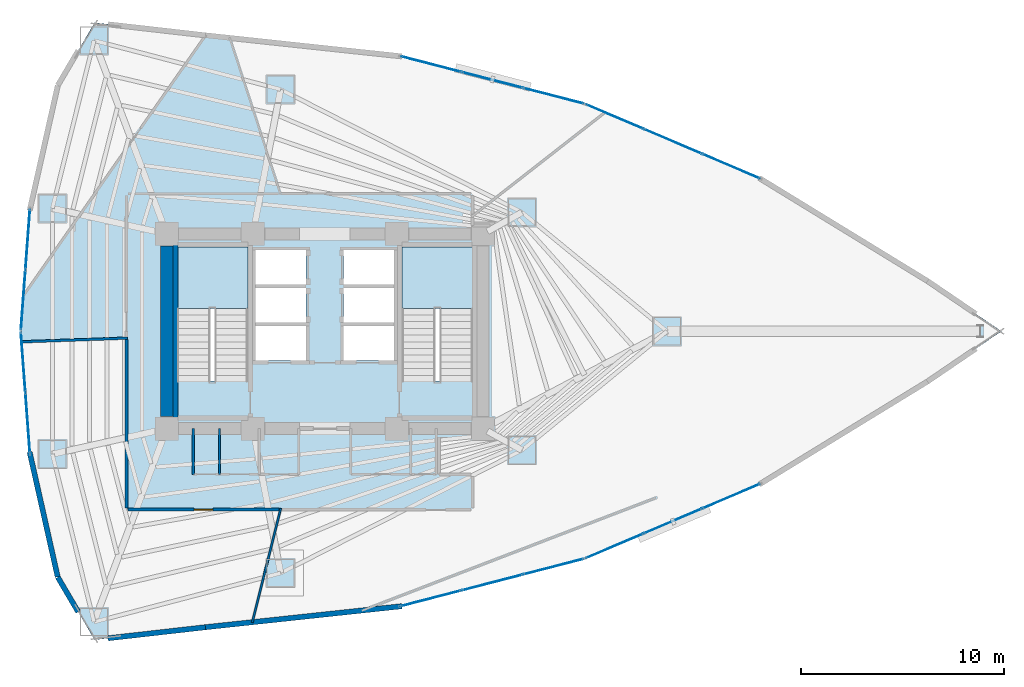
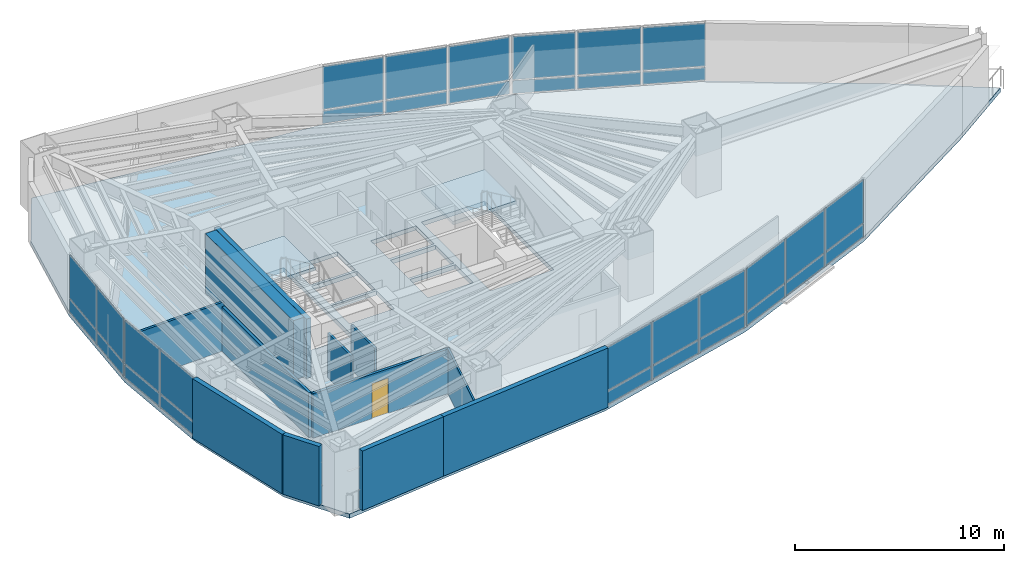
# One storey, part 14 of 20: 32 plates, 12 walls, 3 slabs, 1 door, 1 opening, 8 elements without a shape of their own.
"""IFC4 building model written with IfcOpenShell, lengths in metres."""

from ifc_helpers import new_model, si_unit, direction, frame, frame_2d, origin, origin_2d, place, context, subcontext, project, spatial, polyline, rectangle, outline, extrude, material, layer, layer_set, type_object, element, fill, aggregate, save


model = new_model("IFC4")

# Units and contexts
model_context = context("Model", 3, precision=1e-05, world=origin(), true_north=direction((0.0, 1.0)))
body_context = subcontext(model_context, "Body", "Model", "MODEL_VIEW")
ifc_project = project(units=[si_unit("LENGTHUNIT", "METRE"), si_unit("AREAUNIT", "SQUARE_METRE"), si_unit("VOLUMEUNIT", "CUBIC_METRE"), si_unit("PLANEANGLEUNIT", "RADIAN"), si_unit("MASSUNIT", "GRAM", prefix="KILO")], contexts=[model_context])

# Site, building, storey
site_placement = place(None, origin())
site = spatial("IfcSite", under=ifc_project, at=site_placement, CompositionType="ELEMENT")
building_placement = place(site_placement, origin())
building = spatial("IfcBuilding", under=site, at=building_placement, Name="Menara Vayukalpa", CompositionType="ELEMENT")
storey_placement = place(building_placement, frame((0.0, 0.0, 61.080078125)))
storey = spatial("IfcBuildingStorey", under=building, at=storey_placement, Name="L14", CompositionType="ELEMENT", Elevation=61.080078125)

# Curtain wall, plates
ifc_material_1 = material(Name="Anodised Terracotta Aluminium Alloy 6063-T6", Category="masonry")
ifc_layer_1 = layer(ifc_material_1, 0.179931640625)
ifc_layer_set_1 = layer_set([ifc_layer_1], Name="Anodised Terracotta Aluminium Alloy 6063-T6")
curtain_wall_type = type_object("IfcCurtainWallType", Name="CW-CW4", PredefinedType="USERDEFINED", material=ifc_layer_set_1)
curtain_wall_1_placement = place(storey_placement, origin())
curtain_wall_1 = element("IfcCurtainWall", 1, at=curtain_wall_1_placement, inside=storey, type_object=curtain_wall_type, Name="L14 Sky Bar Cantilever Glazed Curtain Wall CW4 04", ObjectType="UNITISED", PredefinedType="USERDEFINED")
ifc_material_2 = material(Name="Low-E Double Glazing", Category="glass")
ifc_layer_2 = layer(ifc_material_2, 0.0380859375)
ifc_layer_set_2 = layer_set([ifc_layer_2], Name="Low-E Double Glazing")
plate_type = type_object("IfcPlateType", Name="CWP-CW4", PredefinedType="CURTAIN_PANEL", material=ifc_layer_set_2)
plate_1_placement = place(storey_placement, frame((45.634033203125, 30.132080078125, 0.06982421875), z_axis=(0.0, 0.0, 1.0), x_axis=(-0.919961751315, 0.392008132718, 0.0)))
plate_1 = element("IfcPlate", 2, at=plate_1_placement, type_object=plate_type, Name="CW4 panel 1.1", PredefinedType="CURTAIN_PANEL", context=body_context, shape_type="SweptSolid", body=[
    extrude(rectangle(XDim=3.03173828125, YDim=0.0380859375, at=origin_2d()), origin(), (0.0, 0.0, 1.0), 0.7451171875),
])
plate_2_placement = place(storey_placement, frame((45.634033203125, 30.132080078125, 0.884765625), z_axis=(0.0, 0.0, 1.0), x_axis=(-0.919961751315, 0.392008132718, 0.0)))
plate_2 = element("IfcPlate", 3, at=plate_2_placement, type_object=plate_type, Name="CW4 panel 1.2", PredefinedType="CURTAIN_PANEL", context=body_context, shape_type="SweptSolid", body=[
    extrude(rectangle(XDim=3.03173828125, YDim=0.0380859375, at=origin_2d()), origin(), (0.0, 0.0, 1.0), 2.514892578125),
])
plate_3_placement = place(storey_placement, frame((42.7587890625, 31.357177734375, 0.06982421875), z_axis=(0.0, 0.0, 1.0), x_axis=(-0.919961751315, 0.392008132718, 0.0)))
plate_3 = element("IfcPlate", 4, at=plate_3_placement, type_object=plate_type, Name="CW4 panel 2.1", PredefinedType="CURTAIN_PANEL", context=body_context, shape_type="SweptSolid", body=[
    extrude(rectangle(XDim=3.069091796875, YDim=0.0380859375, at=origin_2d()), origin(), (0.0, 0.0, 1.0), 0.7451171875),
])
plate_4_placement = place(storey_placement, frame((42.7587890625, 31.357177734375, 0.884765625), z_axis=(0.0, 0.0, 1.0), x_axis=(-0.919961751315, 0.392008132718, 0.0)))
plate_4 = element("IfcPlate", 5, at=plate_4_placement, type_object=plate_type, Name="CW4 panel 2.2", PredefinedType="CURTAIN_PANEL", context=body_context, shape_type="SweptSolid", body=[
    extrude(rectangle(XDim=3.069091796875, YDim=0.0380859375, at=origin_2d()), origin(), (0.0, 0.0, 1.0), 2.514892578125),
])
plate_5_placement = place(storey_placement, frame((39.883544921875, 32.582275390625, 0.06982421875), z_axis=(0.0, 0.0, 1.0), x_axis=(-0.919961751315, 0.392008132718, 0.0)))
plate_5 = element("IfcPlate", 6, at=plate_5_placement, type_object=plate_type, Name="CW4 panel 3.1", PredefinedType="CURTAIN_PANEL", context=body_context, shape_type="SweptSolid", body=[
    extrude(rectangle(XDim=3.03173828125, YDim=0.0380859375, at=origin_2d()), origin(), (0.0, 0.0, 1.0), 0.7451171875),
])
plate_6_placement = place(storey_placement, frame((39.883544921875, 32.582275390625, 0.884765625), z_axis=(0.0, 0.0, 1.0), x_axis=(-0.919961751315, 0.392008132718, 0.0)))
plate_6 = element("IfcPlate", 7, at=plate_6_placement, type_object=plate_type, Name="CW4 panel 3.2", PredefinedType="CURTAIN_PANEL", context=body_context, shape_type="SweptSolid", body=[
    extrude(rectangle(XDim=3.03173828125, YDim=0.0380859375, at=origin_2d()), origin(), (0.0, 0.0, 1.0), 2.514892578125),
])
aggregate(curtain_wall_1, [plate_1, plate_2, plate_3, plate_4, plate_5, plate_6])

curtain_wall_2_placement = place(storey_placement, origin())
curtain_wall_2 = element("IfcCurtainWall", 8, at=curtain_wall_2_placement, inside=storey, type_object=curtain_wall_type, Name="L14 Sky Bar Cantilever Glazed Curtain Wall CW4 05", ObjectType="UNITISED", PredefinedType="USERDEFINED")
plate_7_placement = place(storey_placement, frame((36.8798828125, 33.604248046875, 0.06982421875), z_axis=(0.0, 0.0, 1.0), x_axis=(-0.968141727209, 0.25040286747, 0.0)))
plate_7 = element("IfcPlate", 9, at=plate_7_placement, type_object=plate_type, Name="CW4 panel 1.1", PredefinedType="CURTAIN_PANEL", context=body_context, shape_type="SweptSolid", body=[
    extrude(rectangle(XDim=3.03173828125, YDim=0.0380859375, at=origin_2d()), origin(), (0.0, 0.0, 1.0), 0.7451171875),
])
plate_8_placement = place(storey_placement, frame((36.8798828125, 33.604248046875, 0.884765625), z_axis=(0.0, 0.0, 1.0), x_axis=(-0.968141727209, 0.25040286747, 0.0)))
plate_8 = element("IfcPlate", 10, at=plate_8_placement, type_object=plate_type, Name="CW4 panel 1.2", PredefinedType="CURTAIN_PANEL", context=body_context, shape_type="SweptSolid", body=[
    extrude(rectangle(XDim=3.03173828125, YDim=0.0380859375, at=origin_2d()), origin(), (0.0, 0.0, 1.0), 2.514892578125),
])
plate_9_placement = place(storey_placement, frame((33.854248046875, 34.386962890625, 0.06982421875), z_axis=(0.0, 0.0, 1.0), x_axis=(-0.968141727209, 0.25040286747, 0.0)))
plate_9 = element("IfcPlate", 11, at=plate_9_placement, type_object=plate_type, Name="CW4 panel 2.1", PredefinedType="CURTAIN_PANEL", context=body_context, shape_type="SweptSolid", body=[
    extrude(rectangle(XDim=3.069091796875, YDim=0.0380859375, at=origin_2d()), origin(), (0.0, 0.0, 1.0), 0.7451171875),
])
plate_10_placement = place(storey_placement, frame((33.854248046875, 34.386962890625, 0.884765625), z_axis=(0.0, 0.0, 1.0), x_axis=(-0.968141727209, 0.25040286747, 0.0)))
plate_10 = element("IfcPlate", 12, at=plate_10_placement, type_object=plate_type, Name="CW4 panel 2.2", PredefinedType="CURTAIN_PANEL", context=body_context, shape_type="SweptSolid", body=[
    extrude(rectangle(XDim=3.069091796875, YDim=0.0380859375, at=origin_2d()), origin(), (0.0, 0.0, 1.0), 2.514892578125),
])
plate_11_placement = place(storey_placement, frame((30.828369140625, 35.16943359375, 0.06982421875), z_axis=(0.0, 0.0, 1.0), x_axis=(-0.968141727209, 0.25040286747, 0.0)))
plate_11 = element("IfcPlate", 13, at=plate_11_placement, type_object=plate_type, Name="CW4 panel 3.1", PredefinedType="CURTAIN_PANEL", context=body_context, shape_type="SweptSolid", body=[
    extrude(rectangle(XDim=3.03173828125, YDim=0.0380859375, at=origin_2d()), origin(), (0.0, 0.0, 1.0), 0.7451171875),
])
plate_12_placement = place(storey_placement, frame((30.828369140625, 35.16943359375, 0.884765625), z_axis=(0.0, 0.0, 1.0), x_axis=(-0.968141727209, 0.25040286747, 0.0)))
plate_12 = element("IfcPlate", 14, at=plate_12_placement, type_object=plate_type, Name="CW4 panel 3.2", PredefinedType="CURTAIN_PANEL", context=body_context, shape_type="SweptSolid", body=[
    extrude(rectangle(XDim=3.03173828125, YDim=0.0380859375, at=origin_2d()), origin(), (0.0, 0.0, 1.0), 2.514892578125),
])
aggregate(curtain_wall_2, [plate_7, plate_8, plate_9, plate_10, plate_11, plate_12])

curtain_wall_3_placement = place(storey_placement, origin())
curtain_wall_3 = element("IfcCurtainWall", 15, at=curtain_wall_3_placement, inside=storey, type_object=curtain_wall_type, Name="L14 Sky Bar Cantilever Glazed Curtain Wall CW4 10", ObjectType="UNITISED", PredefinedType="USERDEFINED")
plate_13_placement = place(storey_placement, frame((10.94921875, 26.526123046875, 0.06982421875), z_axis=(0.0, 0.0, 1.0), x_axis=(-0.074794857576, -0.997198941676, 0.0)))
plate_13 = element("IfcPlate", 16, at=plate_13_placement, type_object=plate_type, Name="CW4 panel 1.1", PredefinedType="CURTAIN_PANEL", context=body_context, shape_type="SweptSolid", body=[
    extrude(rectangle(XDim=2.92578125, YDim=0.0380859375, at=origin_2d()), origin(), (0.0, 0.0, 1.0), 0.7451171875),
])
plate_14_placement = place(storey_placement, frame((10.94921875, 26.526123046875, 0.884765625), z_axis=(0.0, 0.0, 1.0), x_axis=(-0.074794857576, -0.997198941676, 0.0)))
plate_14 = element("IfcPlate", 17, at=plate_14_placement, type_object=plate_type, Name="CW4 panel 1.2", PredefinedType="CURTAIN_PANEL", context=body_context, shape_type="SweptSolid", body=[
    extrude(rectangle(XDim=2.92578125, YDim=0.0380859375, at=origin_2d()), origin(), (0.0, 0.0, 1.0), 2.514892578125),
])
plate_15_placement = place(storey_placement, frame((10.724609375, 23.53369140625, 0.06982421875), z_axis=(0.0, 0.0, 1.0), x_axis=(-0.074794857576, -0.997198941676, 0.0)))
plate_15 = element("IfcPlate", 18, at=plate_15_placement, type_object=plate_type, Name="CW4 panel 2.1", PredefinedType="CURTAIN_PANEL", context=body_context, shape_type="SweptSolid", body=[
    extrude(rectangle(XDim=2.92578125, YDim=0.0380859375, at=origin_2d()), origin(), (0.0, 0.0, 1.0), 0.7451171875),
])
plate_16_placement = place(storey_placement, frame((10.724609375, 23.53369140625, 0.884765625), z_axis=(0.0, 0.0, 1.0), x_axis=(-0.074794857576, -0.997198941676, 0.0)))
plate_16 = element("IfcPlate", 19, at=plate_16_placement, type_object=plate_type, Name="CW4 panel 2.2", PredefinedType="CURTAIN_PANEL", context=body_context, shape_type="SweptSolid", body=[
    extrude(rectangle(XDim=2.92578125, YDim=0.0380859375, at=origin_2d()), origin(), (0.0, 0.0, 1.0), 2.514892578125),
])
aggregate(curtain_wall_3, [plate_13, plate_14, plate_15, plate_16])

curtain_wall_4_placement = place(storey_placement, origin())
curtain_wall_4 = element("IfcCurtainWall", 20, at=curtain_wall_4_placement, inside=storey, type_object=curtain_wall_type, Name="L14 Sky Bar Cantilever Glazed Curtain Wall CW4 11", ObjectType="UNITISED", PredefinedType="USERDEFINED")
plate_17_placement = place(storey_placement, frame((10.724609375, 20.46630859375, 0.06982421875), z_axis=(0.0, 0.0, 1.0), x_axis=(0.074794857576, -0.997198941676, 0.0)))
plate_17 = element("IfcPlate", 21, at=plate_17_placement, type_object=plate_type, Name="CW4 panel 1.1", PredefinedType="CURTAIN_PANEL", context=body_context, shape_type="SweptSolid", body=[
    extrude(rectangle(XDim=2.92578125, YDim=0.0380859375, at=origin_2d()), origin(), (0.0, 0.0, 1.0), 0.7451171875),
])
plate_18_placement = place(storey_placement, frame((10.724609375, 20.46630859375, 0.884765625), z_axis=(0.0, 0.0, 1.0), x_axis=(0.074794857576, -0.997198941676, 0.0)))
plate_18 = element("IfcPlate", 22, at=plate_18_placement, type_object=plate_type, Name="CW4 panel 1.2", PredefinedType="CURTAIN_PANEL", context=body_context, shape_type="SweptSolid", body=[
    extrude(rectangle(XDim=2.92578125, YDim=0.0380859375, at=origin_2d()), origin(), (0.0, 0.0, 1.0), 2.514892578125),
])
plate_19_placement = place(storey_placement, frame((10.94921875, 17.473876953125, 0.06982421875), z_axis=(0.0, 0.0, 1.0), x_axis=(0.074794857576, -0.997198941676, 0.0)))
plate_19 = element("IfcPlate", 23, at=plate_19_placement, type_object=plate_type, Name="CW4 panel 2.1", PredefinedType="CURTAIN_PANEL", context=body_context, shape_type="SweptSolid", body=[
    extrude(rectangle(XDim=2.92578125, YDim=0.0380859375, at=origin_2d()), origin(), (0.0, 0.0, 1.0), 0.7451171875),
])
plate_20_placement = place(storey_placement, frame((10.94921875, 17.473876953125, 0.884765625), z_axis=(0.0, 0.0, 1.0), x_axis=(0.074794857576, -0.997198941676, 0.0)))
plate_20 = element("IfcPlate", 24, at=plate_20_placement, type_object=plate_type, Name="CW4 panel 2.2", PredefinedType="CURTAIN_PANEL", context=body_context, shape_type="SweptSolid", body=[
    extrude(rectangle(XDim=2.92578125, YDim=0.0380859375, at=origin_2d()), origin(), (0.0, 0.0, 1.0), 2.514892578125),
])
aggregate(curtain_wall_4, [plate_17, plate_18, plate_19, plate_20])

curtain_wall_5_placement = place(storey_placement, origin())
curtain_wall_5 = element("IfcCurtainWall", 25, at=curtain_wall_5_placement, inside=storey, type_object=curtain_wall_type, Name="L14 Sky Bar Cantilever Glazed Curtain Wall CW4 16", ObjectType="UNITISED", PredefinedType="USERDEFINED")
plate_21_placement = place(storey_placement, frame((30.828369140625, 8.83056640625, 0.06982421875), z_axis=(0.0, 0.0, 1.0), x_axis=(0.968141727209, 0.25040286747, 0.0)))
plate_21 = element("IfcPlate", 26, at=plate_21_placement, type_object=plate_type, Name="CW4 panel 1.1", PredefinedType="CURTAIN_PANEL", context=body_context, shape_type="SweptSolid", body=[
    extrude(rectangle(XDim=3.03173828125, YDim=0.0380859375, at=origin_2d()), origin(), (0.0, 0.0, 1.0), 0.7451171875),
])
plate_22_placement = place(storey_placement, frame((30.828369140625, 8.83056640625, 0.884765625), z_axis=(0.0, 0.0, 1.0), x_axis=(0.968141727209, 0.25040286747, 0.0)))
plate_22 = element("IfcPlate", 27, at=plate_22_placement, type_object=plate_type, Name="CW4 panel 1.2", PredefinedType="CURTAIN_PANEL", context=body_context, shape_type="SweptSolid", body=[
    extrude(rectangle(XDim=3.03173828125, YDim=0.0380859375, at=origin_2d()), origin(), (0.0, 0.0, 1.0), 2.514892578125),
])
plate_23_placement = place(storey_placement, frame((33.854248046875, 9.613037109375, 0.06982421875), z_axis=(0.0, 0.0, 1.0), x_axis=(0.968141727209, 0.25040286747, 0.0)))
plate_23 = element("IfcPlate", 28, at=plate_23_placement, type_object=plate_type, Name="CW4 panel 2.1", PredefinedType="CURTAIN_PANEL", context=body_context, shape_type="SweptSolid", body=[
    extrude(rectangle(XDim=3.069091796875, YDim=0.0380859375, at=origin_2d()), origin(), (0.0, 0.0, 1.0), 0.7451171875),
])
plate_24_placement = place(storey_placement, frame((33.854248046875, 9.613037109375, 0.884765625), z_axis=(0.0, 0.0, 1.0), x_axis=(0.968141727209, 0.25040286747, 0.0)))
plate_24 = element("IfcPlate", 29, at=plate_24_placement, type_object=plate_type, Name="CW4 panel 2.2", PredefinedType="CURTAIN_PANEL", context=body_context, shape_type="SweptSolid", body=[
    extrude(rectangle(XDim=3.069091796875, YDim=0.0380859375, at=origin_2d()), origin(), (0.0, 0.0, 1.0), 2.514892578125),
])
plate_25_placement = place(storey_placement, frame((36.8798828125, 10.395751953125, 0.06982421875), z_axis=(0.0, 0.0, 1.0), x_axis=(0.968141727209, 0.25040286747, 0.0)))
plate_25 = element("IfcPlate", 30, at=plate_25_placement, type_object=plate_type, Name="CW4 panel 3.1", PredefinedType="CURTAIN_PANEL", context=body_context, shape_type="SweptSolid", body=[
    extrude(rectangle(XDim=3.03173828125, YDim=0.0380859375, at=origin_2d()), origin(), (0.0, 0.0, 1.0), 0.7451171875),
])
plate_26_placement = place(storey_placement, frame((36.8798828125, 10.395751953125, 0.884765625), z_axis=(0.0, 0.0, 1.0), x_axis=(0.968141727209, 0.25040286747, 0.0)))
plate_26 = element("IfcPlate", 31, at=plate_26_placement, type_object=plate_type, Name="CW4 panel 3.2", PredefinedType="CURTAIN_PANEL", context=body_context, shape_type="SweptSolid", body=[
    extrude(rectangle(XDim=3.03173828125, YDim=0.0380859375, at=origin_2d()), origin(), (0.0, 0.0, 1.0), 2.514892578125),
])
aggregate(curtain_wall_5, [plate_21, plate_22, plate_23, plate_24, plate_25, plate_26])

curtain_wall_6_placement = place(storey_placement, origin())
curtain_wall_6 = element("IfcCurtainWall", 32, at=curtain_wall_6_placement, inside=storey, type_object=curtain_wall_type, Name="L14 Sky Bar Cantilever Glazed Curtain Wall CW4 17", ObjectType="UNITISED", PredefinedType="USERDEFINED")
plate_27_placement = place(storey_placement, frame((39.883544921875, 11.417724609375, 0.06982421875), z_axis=(0.0, 0.0, 1.0), x_axis=(0.919961751315, 0.392008132718, 0.0)))
plate_27 = element("IfcPlate", 33, at=plate_27_placement, type_object=plate_type, Name="CW4 panel 1.1", PredefinedType="CURTAIN_PANEL", context=body_context, shape_type="SweptSolid", body=[
    extrude(rectangle(XDim=3.03173828125, YDim=0.0380859375, at=origin_2d()), origin(), (0.0, 0.0, 1.0), 0.7451171875),
])
plate_28_placement = place(storey_placement, frame((39.883544921875, 11.417724609375, 0.884765625), z_axis=(0.0, 0.0, 1.0), x_axis=(0.919961751315, 0.392008132718, 0.0)))
plate_28 = element("IfcPlate", 34, at=plate_28_placement, type_object=plate_type, Name="CW4 panel 1.2", PredefinedType="CURTAIN_PANEL", context=body_context, shape_type="SweptSolid", body=[
    extrude(rectangle(XDim=3.03173828125, YDim=0.0380859375, at=origin_2d()), origin(), (0.0, 0.0, 1.0), 2.514892578125),
])
plate_29_placement = place(storey_placement, frame((42.7587890625, 12.642822265625, 0.06982421875), z_axis=(0.0, 0.0, 1.0), x_axis=(0.919961751315, 0.392008132718, 0.0)))
plate_29 = element("IfcPlate", 35, at=plate_29_placement, type_object=plate_type, Name="CW4 panel 2.1", PredefinedType="CURTAIN_PANEL", context=body_context, shape_type="SweptSolid", body=[
    extrude(rectangle(XDim=3.069091796875, YDim=0.0380859375, at=origin_2d()), origin(), (0.0, 0.0, 1.0), 0.7451171875),
])
plate_30_placement = place(storey_placement, frame((42.7587890625, 12.642822265625, 0.884765625), z_axis=(0.0, 0.0, 1.0), x_axis=(0.919961751315, 0.392008132718, 0.0)))
plate_30 = element("IfcPlate", 36, at=plate_30_placement, type_object=plate_type, Name="CW4 panel 2.2", PredefinedType="CURTAIN_PANEL", context=body_context, shape_type="SweptSolid", body=[
    extrude(rectangle(XDim=3.069091796875, YDim=0.0380859375, at=origin_2d()), origin(), (0.0, 0.0, 1.0), 2.514892578125),
])
plate_31_placement = place(storey_placement, frame((45.634033203125, 13.867919921875, 0.06982421875), z_axis=(0.0, 0.0, 1.0), x_axis=(0.919961751315, 0.392008132718, 0.0)))
plate_31 = element("IfcPlate", 37, at=plate_31_placement, type_object=plate_type, Name="CW4 panel 3.1", PredefinedType="CURTAIN_PANEL", context=body_context, shape_type="SweptSolid", body=[
    extrude(rectangle(XDim=3.03173828125, YDim=0.0380859375, at=origin_2d()), origin(), (0.0, 0.0, 1.0), 0.7451171875),
])
plate_32_placement = place(storey_placement, frame((45.634033203125, 13.867919921875, 0.884765625), z_axis=(0.0, 0.0, 1.0), x_axis=(0.919961751315, 0.392008132718, 0.0)))
plate_32 = element("IfcPlate", 38, at=plate_32_placement, type_object=plate_type, Name="CW4 panel 3.2", PredefinedType="CURTAIN_PANEL", context=body_context, shape_type="SweptSolid", body=[
    extrude(rectangle(XDim=3.03173828125, YDim=0.0380859375, at=origin_2d()), origin(), (0.0, 0.0, 1.0), 2.514892578125),
])
aggregate(curtain_wall_6, [plate_27, plate_28, plate_29, plate_30, plate_31, plate_32])

# Slab
ifc_material_3 = material(Name="Concrete C40/50", Category="concrete")
ifc_layer_3 = layer(ifc_material_3, 0.25)
ifc_layer_set_3 = layer_set([ifc_layer_3], Name="Concrete C40/50")
slab_type_1 = type_object("IfcSlabType", Name="SLB-FL250", PredefinedType="FLOOR", material=ifc_layer_set_3)
slab_1_placement = place(storey_placement, frame((0.0, 0.0, -0.25)))
element("IfcSlab", 39, at=slab_1_placement, inside=storey, type_object=slab_type_1, Name="L14 Sky Bar Structural Floor Slab", PredefinedType="FLOOR", context=body_context, shape_type="SweptSolid", body=[
    extrude(outline(polyline([(55.320556640625, 19.52490234375), (58.957763671875, 22.0), (55.320556640625, 24.47509765625), (47.09765625, 29.50830078125), (38.420166015625, 33.2060546875), (29.2880859375, 35.56787109375), (19.701904296875, 36.59423828125), (14.24609375, 37.212890625), (12.427490234375, 34.119140625), (11.064208984375, 28.0595703125), (10.609619140625, 22.0), (11.064208984375, 15.9404296875), (12.427490234375, 9.880859375), (14.24609375, 6.787109375), (19.701904296875, 7.40576171875), (29.2880859375, 8.43212890625), (38.420166015625, 10.7939453125), (47.09765625, 14.49169921875), (55.320556640625, 19.52490234375)]), holes=[polyline([(21.800048828125, 19.550048828125), (21.800048828125, 26.14990234375), (18.300048828125, 26.14990234375), (18.300048828125, 19.550048828125), (21.800048828125, 19.550048828125)]), polyline([(32.89990234375, 19.550048828125), (32.89990234375, 26.14990234375), (29.39990234375, 26.14990234375), (29.39990234375, 19.550048828125), (32.89990234375, 19.550048828125)]), polyline([(22.179931640625, 20.550048828125), (24.679931640625, 20.550048828125), (24.679931640625, 22.27001953125), (22.179931640625, 22.27001953125), (22.179931640625, 20.550048828125)]), polyline([(26.52001953125, 20.550048828125), (29.02001953125, 20.550048828125), (29.02001953125, 22.27001953125), (26.52001953125, 22.27001953125), (26.52001953125, 20.550048828125)]), polyline([(22.179931640625, 22.419921875), (24.679931640625, 22.419921875), (24.679931640625, 24.139892578125), (22.179931640625, 24.139892578125), (22.179931640625, 22.419921875)]), polyline([(22.179931640625, 24.2900390625), (24.679931640625, 24.2900390625), (24.679931640625, 26.010009765625), (22.179931640625, 26.010009765625), (22.179931640625, 24.2900390625)]), polyline([(26.52001953125, 24.2900390625), (29.02001953125, 24.2900390625), (29.02001953125, 26.010009765625), (26.52001953125, 26.010009765625), (26.52001953125, 24.2900390625)]), polyline([(26.52001953125, 22.419921875), (29.02001953125, 22.419921875), (29.02001953125, 24.139892578125), (26.52001953125, 24.139892578125), (26.52001953125, 22.419921875)])]), origin(), (0.0, 0.0, 1.0), 0.25),
])

# Stair, slab
ifc_material_4 = material(Name="Precast Concrete C40/50", Category="concrete")
stair_type = type_object("IfcStairType", Name="STR-T04", PredefinedType="DOUBLE_RETURN_STAIR", material=ifc_material_4)
stair_1_placement = place(storey_placement, origin())
stair_1 = element("IfcStair", 40, at=stair_1_placement, inside=storey, type_object=stair_type, Name="L14 Core Exit Stair ST-1", PredefinedType="DOUBLE_RETURN_STAIR")
ifc_material_5 = material(Name="Precast Concrete C40/50", Category="concrete")
ifc_layer_4 = layer(ifc_material_5, 0.199951171875)
ifc_layer_set_4 = layer_set([ifc_layer_4], Name="Precast Concrete C40/50")
slab_type_2 = type_object("IfcSlabType", Name="SLB-LND200", PredefinedType="LANDING", material=ifc_layer_set_4)
slab_2_placement = place(storey_placement, frame((0.0, 0.0, 1.659912109375)))
slab_2 = element("IfcSlab", 41, at=slab_2_placement, type_object=slab_type_2, Name="ST-1 landing 1", PredefinedType="LANDING", context=body_context, shape_type="SweptSolid", body=[
    extrude(outline(polyline([(21.800048828125, 23.1298828125), (21.800048828125, 26.14990234375), (18.300048828125, 26.14990234375), (18.300048828125, 23.1298828125), (21.800048828125, 23.1298828125)])), origin(), (0.0, 0.0, 1.0), 0.199951171875),
])
aggregate(stair_1, [slab_2])

stair_2_placement = place(storey_placement, origin())
stair_2 = element("IfcStair", 42, at=stair_2_placement, inside=storey, type_object=stair_type, Name="L14 Core Exit Stair ST-2", PredefinedType="DOUBLE_RETURN_STAIR")
slab_3_placement = place(storey_placement, frame((0.0, 0.0, 1.659912109375)))
slab_3 = element("IfcSlab", 43, at=slab_3_placement, type_object=slab_type_2, Name="ST-2 landing 1", PredefinedType="LANDING", context=body_context, shape_type="SweptSolid", body=[
    extrude(outline(polyline([(32.89990234375, 23.1298828125), (32.89990234375, 26.14990234375), (29.39990234375, 26.14990234375), (29.39990234375, 23.1298828125), (32.89990234375, 23.1298828125)])), origin(), (0.0, 0.0, 1.0), 0.199951171875),
])
aggregate(stair_2, [slab_3])

# Walls
ifc_material_6 = material(Name="Concrete C70/85", Category="concrete")
ifc_layer_5 = layer(ifc_material_6, 0.60009765625)
ifc_layer_set_5 = layer_set([ifc_layer_5], Name="Concrete C70/85")
wall_type_1 = type_object("IfcWallType", Name="WAL-CW600", PredefinedType="SHEAR", material=ifc_layer_set_5)
wall_1_placement = place(storey_placement, frame((17.800048828125, 17.794921875, 0.0), z_axis=(0.0, 0.0, 1.0), x_axis=(0.0, 1.0, 0.0)))
element("IfcWall", 44, at=wall_1_placement, inside=storey, type_object=wall_type_1, Name="L14 Buttressed Core Shear Wall CWW1", PredefinedType="SHEAR", context=body_context, shape_type="SweptSolid", body=[
    extrude(rectangle(XDim=8.41015625, YDim=0.60009765625, at=frame_2d((4.205078125, 0.0))), origin(), (0.0, 0.0, 1.0), 3.469970703125),
])
ifc_material_7 = material(Name="Insulated Precast Concrete C40/50", Category="concrete")
ifc_layer_6 = layer(ifc_material_7, 0.260009765625)
ifc_layer_set_6 = layer_set([ifc_layer_6], Name="Insulated Precast Concrete C40/50")
wall_type_2 = type_object("IfcWallType", Name="WAL-EXT260", PredefinedType="PARTITIONING", material=ifc_layer_set_6)
wall_2_placement = place(storey_placement, frame((12.425537109375, 9.8896484375, 0.0), z_axis=(0.0, 0.0, 1.0), x_axis=(-0.219505752381, 0.975611205692, 0.0)))
element("IfcWall", 45, at=wall_2_placement, inside=storey, type_object=wall_type_2, Name="L14 Perimeter Terracotta Pier Wall 12", PredefinedType="PARTITIONING", context=body_context, shape_type="SweptSolid", body=[
    extrude(rectangle(XDim=6.31201171875, YDim=0.260009765625, at=frame_2d((3.156005859375, 0.0))), origin(), (0.0, 0.0, 1.0), 3.469970703125),
])
wall_3_placement = place(storey_placement, frame((13.4384765625, 8.1611328125, 0.0), z_axis=(0.0, 0.0, 1.0), x_axis=(-0.506772954594, 0.862079562739, 0.0)))
element("IfcWall", 46, at=wall_3_placement, inside=storey, type_object=wall_type_2, Name="L14 Perimeter Terracotta Pier Wall 13", PredefinedType="PARTITIONING", context=body_context, shape_type="SweptSolid", body=[
    extrude(rectangle(XDim=1.98583984375, YDim=0.260009765625, at=frame_2d((0.992919921875, 0.0))), origin(), (0.0, 0.0, 1.0), 3.469970703125),
])
wall_4_placement = place(storey_placement, frame((19.707763671875, 7.406494140625, 0.0), z_axis=(0.0, 0.0, 1.0), x_axis=(-0.993630237788, -0.112689620435, 0.0)))
element("IfcWall", 47, at=wall_4_placement, inside=storey, type_object=wall_type_2, Name="L14 Perimeter Terracotta Pier Wall 14", PredefinedType="PARTITIONING", context=body_context, shape_type="SweptSolid", body=[
    extrude(rectangle(XDim=4.8291015625, YDim=0.260009765625, at=frame_2d((2.41455078125, 0.0))), origin(), (0.0, 0.0, 1.0), 3.469970703125),
])
wall_5_placement = place(storey_placement, frame((29.397705078125, 8.44384765625, 0.0), z_axis=(0.0, 0.0, 1.0), x_axis=(-0.994319088673, -0.106440358419, 0.0)))
element("IfcWall", 48, at=wall_5_placement, inside=storey, type_object=wall_type_2, Name="L14 Perimeter Terracotta Pier Wall 15", PredefinedType="PARTITIONING", context=body_context, shape_type="SweptSolid", body=[
    extrude(rectangle(XDim=9.75732421875, YDim=0.260009765625, at=frame_2d((4.878662109375, 0.0))), origin(), (0.0, 0.0, 1.0), 3.469970703125),
])
ifc_material_8 = material(Name="Glazed Demountable Office Partition", Category="glass")
ifc_layer_7 = layer(ifc_material_8, 0.094970703125)
ifc_layer_set_7 = layer_set([ifc_layer_7], Name="Glazed Demountable Office Partition")
wall_type_3 = type_object("IfcWallType", Name="WAL-PT100", PredefinedType="PARTITIONING", material=ifc_layer_set_7)
wall_6_placement = place(storey_placement, frame((23.4208984375, 13.260009765625, 0.0), z_axis=(0.0, 0.0, 1.0), x_axis=(-0.241950009825, -0.97028871618, 0.0)))
element("IfcWall", 49, at=wall_6_placement, inside=storey, type_object=wall_type_3, Name="L14 Interior Partition IW-L14-RDIV04", PredefinedType="PARTITIONING", context=body_context, shape_type="SweptSolid", body=[
    extrude(rectangle(XDim=5.787841796875, YDim=0.094970703125, at=frame_2d((2.89404296875, 0.0))), origin(), (0.0, 0.0, 1.0), 2.599853515625),
])
ifc_material_9 = material(Name="Acoustic Mineral Stud Partition", Category="masonry")
ifc_layer_8 = layer(ifc_material_9, 0.110107421875)
ifc_layer_set_8 = layer_set([ifc_layer_8], Name="Acoustic Mineral Stud Partition")
wall_type_4 = type_object("IfcWallType", Name="WAL-PT110", PredefinedType="PARTITIONING", material=ifc_layer_set_8)
wall_7_placement = place(storey_placement, frame((20.39990234375, 14.949951171875, 0.0), z_axis=(0.0, 0.0, 1.0), x_axis=(0.0, 1.0, 0.0)))
element("IfcWall", 50, at=wall_7_placement, inside=storey, type_object=wall_type_4, Name="L14 Interior Partition IW-L14-SVCD-02", PredefinedType="PARTITIONING", context=body_context, shape_type="SweptSolid", body=[
    extrude(rectangle(XDim=2.25, YDim=0.110107421875, at=frame_2d((1.125, 0.0))), origin(), (0.0, 0.0, 1.0), 2.599853515625),
])
ifc_material_10 = material(Name="Gypsum Drywall Steel Stud Assembly", Category="steel")
ifc_layer_9 = layer(ifc_material_10, 0.125)
ifc_layer_set_9 = layer_set([ifc_layer_9], Name="Gypsum Drywall Steel Stud Assembly")
wall_type_5 = type_object("IfcWallType", Name="WAL-PT125", PredefinedType="PARTITIONING", material=ifc_layer_set_9)
wall_8_placement = place(storey_placement, frame((19.10009765625, 14.949951171875, 0.0), z_axis=(0.0, 0.0, 1.0), x_axis=(0.0, 1.0, 0.0)))
element("IfcWall", 51, at=wall_8_placement, inside=storey, type_object=wall_type_5, Name="L14 Interior Partition IW-L14-SVCD-01", PredefinedType="PARTITIONING", context=body_context, shape_type="SweptSolid", body=[
    extrude(rectangle(XDim=2.25, YDim=0.125, at=frame_2d((1.125, 0.0))), origin(), (0.0, 0.0, 1.0), 2.599853515625),
])
wall_9_placement = place(storey_placement, frame((15.8701171875, 21.66015625, 0.0), z_axis=(0.0, 0.0, 1.0), x_axis=(-0.999391229301, -0.034887974962, 0.0)))
element("IfcWall", 52, at=wall_9_placement, inside=storey, type_object=wall_type_5, Name="L14 Interior Partition IW-L14-RDIV03", PredefinedType="PARTITIONING", context=body_context, shape_type="SweptSolid", body=[
    extrude(rectangle(XDim=5.234375, YDim=0.125, at=frame_2d((2.6171875, 0.0))), origin(), (0.0, 0.0, 1.0), 2.849853515625),
])
ifc_material_11 = material(Name="Gypsum Drywall Acoustic Stud Assembly", Category="masonry")
ifc_layer_10 = layer(ifc_material_11, 0.14501953125)
ifc_layer_set_10 = layer_set([ifc_layer_10], Name="Gypsum Drywall Acoustic Stud Assembly")
wall_type_6 = type_object("IfcWallType", Name="WAL-PT150", PredefinedType="PARTITIONING", material=ifc_layer_set_10)
wall_10_placement = place(storey_placement, frame((15.820068359375, 21.58837890625, 0.0), z_axis=(0.0, 0.0, 1.0), x_axis=(0.0, -1.0, 0.0)))
element("IfcWall", 53, at=wall_10_placement, inside=storey, type_object=wall_type_6, Name="L14 Interior Partition IW-L14-CRM02-1", PredefinedType="PARTITIONING", context=body_context, shape_type="SweptSolid", body=[
    extrude(rectangle(XDim=8.29833984375, YDim=0.14501953125, at=frame_2d((4.149169921875, 0.0))), origin(), (0.0, 0.0, 1.0), 2.599853515625),
])

# Wall, opening, door
wall_11_placement = place(storey_placement, frame((15.89990234375, 13.2099609375, 0.0), z_axis=(0.0, 0.0, 1.0), x_axis=(1.0, 0.0, 0.0)))
wall_11 = element("IfcWall", 54, at=wall_11_placement, inside=storey, type_object=wall_type_6, Name="L14 Interior Partition IW-L14-CRM02-2", PredefinedType="PARTITIONING", context=body_context, shape_type="SweptSolid", body=[
    extrude(rectangle(XDim=7.436279296875, YDim=0.14501953125, at=frame_2d((3.71826171875, 0.0))), origin(), (0.0, 0.0, 1.0), 2.599853515625),
])
opening_placement = place(wall_11_placement, frame((3.25830078125, 0.0, 0.0)))
opening = element("IfcOpeningElement", 55, at=opening_placement, cuts=wall_11, Name="Opening ID6", PredefinedType="OPENING", context=body_context, shape_type="SweptSolid", body=[
    extrude(rectangle(XDim=0.919921875, YDim=2.050048828125, at=frame_2d((0.4599609375, 1.02490234375))), frame((0.0, 0.08251953125, 0.0), z_axis=(0.0, -1.0, 0.0), x_axis=(1.0, 0.0, 0.0)), (0.0, 0.0, 1.0), 0.1650390625),
])
ifc_material_12 = material(Name="Acoustic Hardwood Veneer Timber Door", Category="wood")
door_type = type_object("IfcDoorType", Name="DR-INT92", OperationType="NOTDEFINED", PredefinedType="DOOR", material=ifc_material_12)
door_placement = place(opening_placement, origin())
door = element("IfcDoor", 56, at=door_placement, inside=storey, type_object=door_type, Name="L14 Interior Door DR-L14-RM02", OperationType="SINGLE_SWING_LEFT", OverallHeight=2.050048828125, OverallWidth=0.919921875, PredefinedType="DOOR", context=body_context, shape_type="SweptSolid", body=[
    extrude(rectangle(XDim=0.919921875, YDim=2.050048828125, at=frame_2d((0.4599609375, 1.02490234375))), frame((0.0, 0.02490234375, 0.0), z_axis=(0.0, -1.0, 0.0), x_axis=(1.0, 0.0, 0.0)), (0.0, 0.0, 1.0), 0.050048828125),
])
fill(opening, door)

# Wall
ifc_material_13 = material(Name="Concrete C50/60", Category="concrete")
ifc_layer_11 = layer(ifc_material_13, 0.25)
ifc_layer_set_11 = layer_set([ifc_layer_11], Name="Concrete C50/60")
wall_type_7 = type_object("IfcWallType", Name="WAL-SW250", PredefinedType="SHEAR", material=ifc_layer_set_11)
wall_12_placement = place(storey_placement, frame((18.22900390625, 17.60009765625, 0.0), z_axis=(0.0, 0.0, 1.0), x_axis=(0.0, 1.0, 0.0)))
element("IfcWall", 57, at=wall_12_placement, inside=storey, type_object=wall_type_7, Name="L14 ST1 Structural Stair Shaft Wall W", PredefinedType="SHEAR", context=body_context, shape_type="SweptSolid", body=[
    extrude(rectangle(XDim=8.7998046875, YDim=0.25, at=frame_2d((4.39990234375, 0.0))), origin(), (0.0, 0.0, 1.0), 3.469970703125),
])

save(model, "model.ifc")
